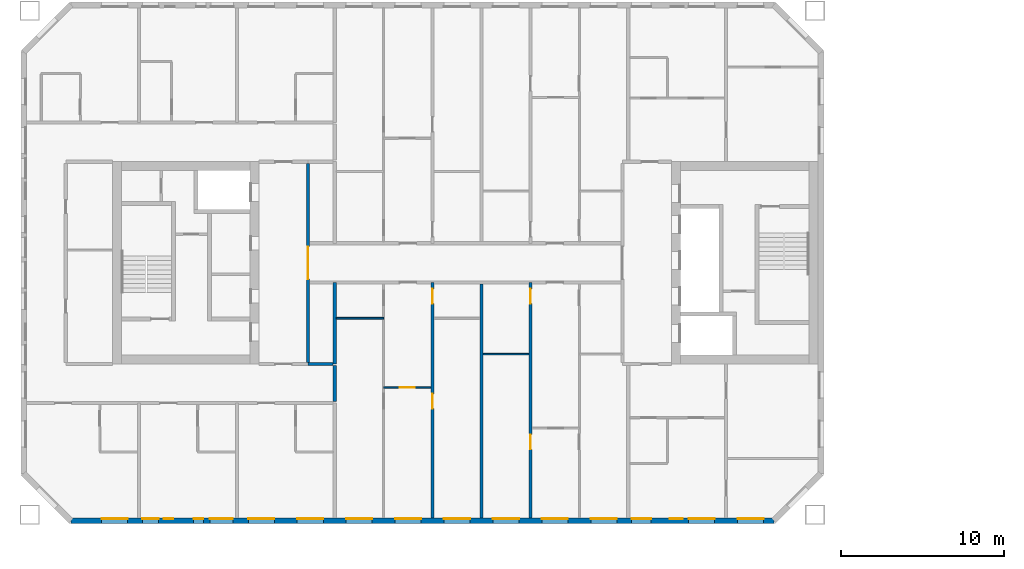
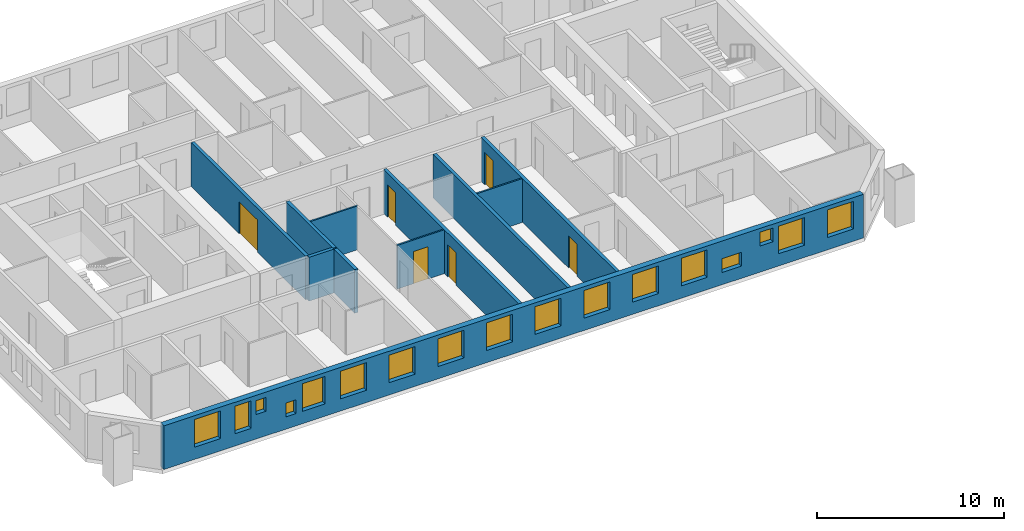
# One storey, part 4 of 17: 17 windows, 11 walls, 6 doors, 23 openings.
"""IFC4 building model written with IfcOpenShell, lengths in metres."""

from ifc_helpers import new_model, si_unit, direction, frame, frame_2d, origin, place, context, subcontext, project, spatial, rectangle, extrude, material, layer, layer_set, type_object, element, fill, save


model = new_model("IFC4")

# Units and contexts
model_context = context("Model", 3, precision=1e-05, world=origin(), true_north=direction((0.0, 1.0)))
body_context = subcontext(model_context, "Body", "Model", "MODEL_VIEW")
ifc_project = project(units=[si_unit("LENGTHUNIT", "METRE"), si_unit("AREAUNIT", "SQUARE_METRE"), si_unit("VOLUMEUNIT", "CUBIC_METRE"), si_unit("PLANEANGLEUNIT", "RADIAN"), si_unit("MASSUNIT", "GRAM", prefix="KILO")], contexts=[model_context])

# Site, building, storey
site_placement = place(None, origin())
site = spatial("IfcSite", under=ifc_project, at=site_placement, CompositionType="ELEMENT")
building_placement = place(site_placement, origin())
building = spatial("IfcBuilding", under=site, at=building_placement, Name="Tuart Gate Housing", CompositionType="ELEMENT")
storey_placement = place(building_placement, frame((0.0, 0.0, 126.800048828125)))
storey = spatial("IfcBuildingStorey", under=building, at=storey_placement, Name="L35", CompositionType="ELEMENT", Elevation=126.800048828125)

# Wall, openings, windows
ifc_material_1 = material(Name="Brick", Category="masonry")
ifc_layer_1 = layer(ifc_material_1, 0.360107421875)
ifc_layer_set_1 = layer_set([ifc_layer_1], Name="Brick pier and spandrel wall 360")
wall_type_1 = type_object("IfcWallType", Name="Brick pier and spandrel wall 360", PredefinedType="STANDARD", material=ifc_layer_set_1)
wall_1_placement = place(storey_placement, frame((29.82470703125, 54.179931640625, 0.0), z_axis=(0.0, 0.0, 1.0), x_axis=(1.0, 0.0, 0.0)))
wall_1 = element("IfcWall", 1, at=wall_1_placement, inside=storey, type_object=wall_type_1, Name="External wall A-S L35", PredefinedType="STANDARD", context=body_context, shape_type="SweptSolid", body=[
    extrude(rectangle(XDim=43.100830078125, YDim=0.360107421875, at=frame_2d((21.55029296875, 0.0))), origin(), (0.0, 0.0, 1.0), 2.849853515625),
])
opening_1_placement = place(wall_1_placement, frame((1.87548828125, 0.0, 0.800048828125)))
opening_1 = element("IfcOpeningElement", 2, at=opening_1_placement, cuts=wall_1, Name="Opening W1", PredefinedType="OPENING", context=body_context, shape_type="SweptSolid", body=[
    extrude(rectangle(XDim=1.60009765625, YDim=1.800048828125, at=frame_2d((0.800048828125, 0.89990234375))), frame((0.0, 0.18994140625, 0.0), z_axis=(0.0, -1.0, 0.0), x_axis=(1.0, 0.0, 0.0)), (0.0, 0.0, 1.0), 0.380126953125),
])
opening_2_placement = place(wall_1_placement, frame((4.37548828125, 0.0, 0.800048828125)))
opening_2 = element("IfcOpeningElement", 3, at=opening_2_placement, cuts=wall_1, Name="Opening W1C", PredefinedType="OPENING", context=body_context, shape_type="SweptSolid", body=[
    extrude(rectangle(XDim=1.0, YDim=1.800048828125, at=frame_2d((0.5, 0.89990234375))), frame((0.0, 0.18994140625, 0.0), z_axis=(0.0, -1.0, 0.0), x_axis=(1.0, 0.0, 0.0)), (0.0, 0.0, 1.0), 0.380126953125),
])
opening_3_placement = place(wall_1_placement, frame((5.67529296875, 0.0, 1.60009765625)))
opening_3 = element("IfcOpeningElement", 4, at=opening_3_placement, cuts=wall_1, Name="Opening W1W", PredefinedType="OPENING", context=body_context, shape_type="SweptSolid", body=[
    extrude(rectangle(XDim=0.60009765625, YDim=0.89990234375, at=frame_2d((0.300048828125, 0.449951171875))), frame((0.0, 0.18994140625, 0.0), z_axis=(0.0, -1.0, 0.0), x_axis=(1.0, 0.0, 0.0)), (0.0, 0.0, 1.0), 0.380126953125),
])
opening_4_placement = place(wall_1_placement, frame((10.87548828125, 0.0, 0.800048828125)))
opening_4 = element("IfcOpeningElement", 5, at=opening_4_placement, cuts=wall_1, Name="Opening W1", PredefinedType="OPENING", context=body_context, shape_type="SweptSolid", body=[
    extrude(rectangle(XDim=1.60009765625, YDim=1.800048828125, at=frame_2d((0.800048828125, 0.89990234375))), frame((0.0, 0.18994140625, 0.0), z_axis=(0.0, -1.0, 0.0), x_axis=(1.0, 0.0, 0.0)), (0.0, 0.0, 1.0), 0.380126953125),
])
opening_5_placement = place(wall_1_placement, frame((13.87548828125, 0.0, 0.800048828125)))
opening_5 = element("IfcOpeningElement", 6, at=opening_5_placement, cuts=wall_1, Name="Opening W1", PredefinedType="OPENING", context=body_context, shape_type="SweptSolid", body=[
    extrude(rectangle(XDim=1.60009765625, YDim=1.800048828125, at=frame_2d((0.800048828125, 0.89990234375))), frame((0.0, 0.18994140625, 0.0), z_axis=(0.0, -1.0, 0.0), x_axis=(1.0, 0.0, 0.0)), (0.0, 0.0, 1.0), 0.380126953125),
])
opening_6_placement = place(wall_1_placement, frame((16.87548828125, 0.0, 0.800048828125)))
opening_6 = element("IfcOpeningElement", 7, at=opening_6_placement, cuts=wall_1, Name="Opening W1", PredefinedType="OPENING", context=body_context, shape_type="SweptSolid", body=[
    extrude(rectangle(XDim=1.60009765625, YDim=1.800048828125, at=frame_2d((0.800048828125, 0.89990234375))), frame((0.0, 0.18994140625, 0.0), z_axis=(0.0, -1.0, 0.0), x_axis=(1.0, 0.0, 0.0)), (0.0, 0.0, 1.0), 0.380126953125),
])
opening_7_placement = place(wall_1_placement, frame((19.87548828125, 0.0, 0.800048828125)))
opening_7 = element("IfcOpeningElement", 8, at=opening_7_placement, cuts=wall_1, Name="Opening W1", PredefinedType="OPENING", context=body_context, shape_type="SweptSolid", body=[
    extrude(rectangle(XDim=1.60009765625, YDim=1.800048828125, at=frame_2d((0.800048828125, 0.89990234375))), frame((0.0, 0.18994140625, 0.0), z_axis=(0.0, -1.0, 0.0), x_axis=(1.0, 0.0, 0.0)), (0.0, 0.0, 1.0), 0.380126953125),
])
opening_8_placement = place(wall_1_placement, frame((22.87548828125, 0.0, 0.800048828125)))
opening_8 = element("IfcOpeningElement", 9, at=opening_8_placement, cuts=wall_1, Name="Opening W1", PredefinedType="OPENING", context=body_context, shape_type="SweptSolid", body=[
    extrude(rectangle(XDim=1.60009765625, YDim=1.800048828125, at=frame_2d((0.800048828125, 0.89990234375))), frame((0.0, 0.18994140625, 0.0), z_axis=(0.0, -1.0, 0.0), x_axis=(1.0, 0.0, 0.0)), (0.0, 0.0, 1.0), 0.380126953125),
])
opening_9_placement = place(wall_1_placement, frame((25.87548828125, 0.0, 0.800048828125)))
opening_9 = element("IfcOpeningElement", 10, at=opening_9_placement, cuts=wall_1, Name="Opening W1", PredefinedType="OPENING", context=body_context, shape_type="SweptSolid", body=[
    extrude(rectangle(XDim=1.60009765625, YDim=1.800048828125, at=frame_2d((0.800048828125, 0.89990234375))), frame((0.0, 0.18994140625, 0.0), z_axis=(0.0, -1.0, 0.0), x_axis=(1.0, 0.0, 0.0)), (0.0, 0.0, 1.0), 0.380126953125),
])
opening_10_placement = place(wall_1_placement, frame((28.87548828125, 0.0, 0.800048828125)))
opening_10 = element("IfcOpeningElement", 11, at=opening_10_placement, cuts=wall_1, Name="Opening W1", PredefinedType="OPENING", context=body_context, shape_type="SweptSolid", body=[
    extrude(rectangle(XDim=1.60009765625, YDim=1.800048828125, at=frame_2d((0.800048828125, 0.89990234375))), frame((0.0, 0.18994140625, 0.0), z_axis=(0.0, -1.0, 0.0), x_axis=(1.0, 0.0, 0.0)), (0.0, 0.0, 1.0), 0.380126953125),
])
opening_11_placement = place(wall_1_placement, frame((31.87548828125, 0.0, 0.800048828125)))
opening_11 = element("IfcOpeningElement", 12, at=opening_11_placement, cuts=wall_1, Name="Opening W1", PredefinedType="OPENING", context=body_context, shape_type="SweptSolid", body=[
    extrude(rectangle(XDim=1.60009765625, YDim=1.800048828125, at=frame_2d((0.800048828125, 0.89990234375))), frame((0.0, 0.18994140625, 0.0), z_axis=(0.0, -1.0, 0.0), x_axis=(1.0, 0.0, 0.0)), (0.0, 0.0, 1.0), 0.380126953125),
])
opening_12_placement = place(wall_1_placement, frame((34.37548828125, 0.0, 0.800048828125)))
opening_12 = element("IfcOpeningElement", 13, at=opening_12_placement, cuts=wall_1, Name="Opening W1T", PredefinedType="OPENING", context=body_context, shape_type="SweptSolid", body=[
    extrude(rectangle(XDim=1.199951171875, YDim=0.89990234375, at=frame_2d((0.60009765625, 0.449951171875))), frame((0.0, 0.18994140625, 0.0), z_axis=(0.0, -1.0, 0.0), x_axis=(1.0, 0.0, 0.0)), (0.0, 0.0, 1.0), 0.380126953125),
])
opening_13_placement = place(wall_1_placement, frame((37.87548828125, 0.0, 0.800048828125)))
opening_13 = element("IfcOpeningElement", 14, at=opening_13_placement, cuts=wall_1, Name="Opening W1", PredefinedType="OPENING", context=body_context, shape_type="SweptSolid", body=[
    extrude(rectangle(XDim=1.60009765625, YDim=1.800048828125, at=frame_2d((0.800048828125, 0.89990234375))), frame((0.0, 0.18994140625, 0.0), z_axis=(0.0, -1.0, 0.0), x_axis=(1.0, 0.0, 0.0)), (0.0, 0.0, 1.0), 0.380126953125),
])
opening_14_placement = place(wall_1_placement, frame((40.87548828125, 0.0, 0.800048828125)))
opening_14 = element("IfcOpeningElement", 15, at=opening_14_placement, cuts=wall_1, Name="Opening W1", PredefinedType="OPENING", context=body_context, shape_type="SweptSolid", body=[
    extrude(rectangle(XDim=1.60009765625, YDim=1.800048828125, at=frame_2d((0.800048828125, 0.89990234375))), frame((0.0, 0.18994140625, 0.0), z_axis=(0.0, -1.0, 0.0), x_axis=(1.0, 0.0, 0.0)), (0.0, 0.0, 1.0), 0.380126953125),
])
opening_15_placement = place(wall_1_placement, frame((7.525390625, 0.0, 0.800048828125)))
opening_15 = element("IfcOpeningElement", 16, at=opening_15_placement, cuts=wall_1, Name="Opening W1W", PredefinedType="OPENING", context=body_context, shape_type="SweptSolid", body=[
    extrude(rectangle(XDim=0.60009765625, YDim=0.89990234375, at=frame_2d((0.300048828125, 0.449951171875))), frame((0.0, 0.18994140625, 0.0), z_axis=(0.0, -1.0, 0.0), x_axis=(1.0, 0.0, 0.0)), (0.0, 0.0, 1.0), 0.380126953125),
])
opening_16_placement = place(wall_1_placement, frame((8.525390625, 0.0, 0.800048828125)))
opening_16 = element("IfcOpeningElement", 17, at=opening_16_placement, cuts=wall_1, Name="Opening W1A", PredefinedType="OPENING", context=body_context, shape_type="SweptSolid", body=[
    extrude(rectangle(XDim=1.39990234375, YDim=1.800048828125, at=frame_2d((0.699951171875, 0.89990234375))), frame((0.0, 0.18994140625, 0.0), z_axis=(0.0, -1.0, 0.0), x_axis=(1.0, 0.0, 0.0)), (0.0, 0.0, 1.0), 0.380126953125),
])
opening_17_placement = place(wall_1_placement, frame((36.725341796875, 0.0, 1.699951171875)))
opening_17 = element("IfcOpeningElement", 18, at=opening_17_placement, cuts=wall_1, Name="Opening W1V", PredefinedType="OPENING", context=body_context, shape_type="SweptSolid", body=[
    extrude(rectangle(XDim=0.800048828125, YDim=0.89990234375, at=frame_2d((0.39990234375, 0.449951171875))), frame((0.0, 0.18994140625, 0.0), z_axis=(0.0, -1.0, 0.0), x_axis=(1.0, 0.0, 0.0)), (0.0, 0.0, 1.0), 0.380126953125),
])
ifc_material_2 = material(Name="Aluminium frame with clear glass", Category="aluminium")
window_type_1 = type_object("IfcWindowType", Name="Punched window 1000 x 1800", PartitioningType="SINGLE_PANEL", PredefinedType="WINDOW", material=ifc_material_2)
window_1_placement = place(opening_2_placement, origin())
window_1 = element("IfcWindow", 19, at=window_1_placement, inside=storey, type_object=window_type_1, Name="Window W1C", OverallHeight=1.800048828125, OverallWidth=1.0, PartitioningType="SINGLE_PANEL", PredefinedType="WINDOW", context=body_context, shape_type="SweptSolid", body=[
    extrude(rectangle(XDim=1.0, YDim=1.800048828125, at=frame_2d((0.5, 0.89990234375))), frame((0.0, 0.150146484375, 0.0), z_axis=(0.0, -1.0, 0.0), x_axis=(1.0, 0.0, 0.0)), (0.0, 0.0, 1.0), 0.06005859375),
])
fill(opening_2, window_1)
ifc_material_3 = material(Name="Aluminium frame with clear glass", Category="aluminium")
window_type_2 = type_object("IfcWindowType", Name="Punched window 1200 x 900", PartitioningType="SINGLE_PANEL", PredefinedType="WINDOW", material=ifc_material_3)
window_2_placement = place(opening_12_placement, origin())
window_2 = element("IfcWindow", 20, at=window_2_placement, inside=storey, type_object=window_type_2, Name="Window W1T", OverallHeight=0.89990234375, OverallWidth=1.199951171875, PartitioningType="SINGLE_PANEL", PredefinedType="WINDOW", context=body_context, shape_type="SweptSolid", body=[
    extrude(rectangle(XDim=1.199951171875, YDim=0.89990234375, at=frame_2d((0.60009765625, 0.449951171875))), frame((0.0, 0.150146484375, 0.0), z_axis=(0.0, -1.0, 0.0), x_axis=(1.0, 0.0, 0.0)), (0.0, 0.0, 1.0), 0.06005859375),
])
fill(opening_12, window_2)
ifc_material_4 = material(Name="Aluminium frame with clear glass", Category="aluminium")
window_type_3 = type_object("IfcWindowType", Name="Punched window 1400 x 1800", PartitioningType="SINGLE_PANEL", PredefinedType="WINDOW", material=ifc_material_4)
window_3_placement = place(opening_16_placement, origin())
window_3 = element("IfcWindow", 21, at=window_3_placement, inside=storey, type_object=window_type_3, Name="Window W1A", OverallHeight=1.800048828125, OverallWidth=1.39990234375, PartitioningType="SINGLE_PANEL", PredefinedType="WINDOW", context=body_context, shape_type="SweptSolid", body=[
    extrude(rectangle(XDim=1.39990234375, YDim=1.800048828125, at=frame_2d((0.699951171875, 0.89990234375))), frame((0.0, 0.150146484375, 0.0), z_axis=(0.0, -1.0, 0.0), x_axis=(1.0, 0.0, 0.0)), (0.0, 0.0, 1.0), 0.06005859375),
])
fill(opening_16, window_3)
ifc_material_5 = material(Name="Aluminium frame with clear glass", Category="aluminium")
window_type_4 = type_object("IfcWindowType", Name="Punched window 1600 x 1800", PartitioningType="SINGLE_PANEL", PredefinedType="WINDOW", material=ifc_material_5)
window_4_placement = place(opening_1_placement, origin())
window_4 = element("IfcWindow", 22, at=window_4_placement, inside=storey, type_object=window_type_4, Name="Window W1", OverallHeight=1.800048828125, OverallWidth=1.60009765625, PartitioningType="SINGLE_PANEL", PredefinedType="WINDOW", context=body_context, shape_type="SweptSolid", body=[
    extrude(rectangle(XDim=1.60009765625, YDim=1.800048828125, at=frame_2d((0.800048828125, 0.89990234375))), frame((0.0, 0.150146484375, 0.0), z_axis=(0.0, -1.0, 0.0), x_axis=(1.0, 0.0, 0.0)), (0.0, 0.0, 1.0), 0.06005859375),
])
fill(opening_1, window_4)
window_5_placement = place(opening_4_placement, origin())
window_5 = element("IfcWindow", 23, at=window_5_placement, inside=storey, type_object=window_type_4, Name="Window W1", OverallHeight=1.800048828125, OverallWidth=1.60009765625, PartitioningType="SINGLE_PANEL", PredefinedType="WINDOW", context=body_context, shape_type="SweptSolid", body=[
    extrude(rectangle(XDim=1.60009765625, YDim=1.800048828125, at=frame_2d((0.800048828125, 0.89990234375))), frame((0.0, 0.150146484375, 0.0), z_axis=(0.0, -1.0, 0.0), x_axis=(1.0, 0.0, 0.0)), (0.0, 0.0, 1.0), 0.06005859375),
])
fill(opening_4, window_5)
window_6_placement = place(opening_5_placement, origin())
window_6 = element("IfcWindow", 24, at=window_6_placement, inside=storey, type_object=window_type_4, Name="Window W1", OverallHeight=1.800048828125, OverallWidth=1.60009765625, PartitioningType="SINGLE_PANEL", PredefinedType="WINDOW", context=body_context, shape_type="SweptSolid", body=[
    extrude(rectangle(XDim=1.60009765625, YDim=1.800048828125, at=frame_2d((0.800048828125, 0.89990234375))), frame((0.0, 0.150146484375, 0.0), z_axis=(0.0, -1.0, 0.0), x_axis=(1.0, 0.0, 0.0)), (0.0, 0.0, 1.0), 0.06005859375),
])
fill(opening_5, window_6)
window_7_placement = place(opening_6_placement, origin())
window_7 = element("IfcWindow", 25, at=window_7_placement, inside=storey, type_object=window_type_4, Name="Window W1", OverallHeight=1.800048828125, OverallWidth=1.60009765625, PartitioningType="SINGLE_PANEL", PredefinedType="WINDOW", context=body_context, shape_type="SweptSolid", body=[
    extrude(rectangle(XDim=1.60009765625, YDim=1.800048828125, at=frame_2d((0.800048828125, 0.89990234375))), frame((0.0, 0.150146484375, 0.0), z_axis=(0.0, -1.0, 0.0), x_axis=(1.0, 0.0, 0.0)), (0.0, 0.0, 1.0), 0.06005859375),
])
fill(opening_6, window_7)
window_8_placement = place(opening_7_placement, origin())
window_8 = element("IfcWindow", 26, at=window_8_placement, inside=storey, type_object=window_type_4, Name="Window W1", OverallHeight=1.800048828125, OverallWidth=1.60009765625, PartitioningType="SINGLE_PANEL", PredefinedType="WINDOW", context=body_context, shape_type="SweptSolid", body=[
    extrude(rectangle(XDim=1.60009765625, YDim=1.800048828125, at=frame_2d((0.800048828125, 0.89990234375))), frame((0.0, 0.150146484375, 0.0), z_axis=(0.0, -1.0, 0.0), x_axis=(1.0, 0.0, 0.0)), (0.0, 0.0, 1.0), 0.06005859375),
])
fill(opening_7, window_8)
window_9_placement = place(opening_8_placement, origin())
window_9 = element("IfcWindow", 27, at=window_9_placement, inside=storey, type_object=window_type_4, Name="Window W1", OverallHeight=1.800048828125, OverallWidth=1.60009765625, PartitioningType="SINGLE_PANEL", PredefinedType="WINDOW", context=body_context, shape_type="SweptSolid", body=[
    extrude(rectangle(XDim=1.60009765625, YDim=1.800048828125, at=frame_2d((0.800048828125, 0.89990234375))), frame((0.0, 0.150146484375, 0.0), z_axis=(0.0, -1.0, 0.0), x_axis=(1.0, 0.0, 0.0)), (0.0, 0.0, 1.0), 0.06005859375),
])
fill(opening_8, window_9)
window_10_placement = place(opening_9_placement, origin())
window_10 = element("IfcWindow", 28, at=window_10_placement, inside=storey, type_object=window_type_4, Name="Window W1", OverallHeight=1.800048828125, OverallWidth=1.60009765625, PartitioningType="SINGLE_PANEL", PredefinedType="WINDOW", context=body_context, shape_type="SweptSolid", body=[
    extrude(rectangle(XDim=1.60009765625, YDim=1.800048828125, at=frame_2d((0.800048828125, 0.89990234375))), frame((0.0, 0.150146484375, 0.0), z_axis=(0.0, -1.0, 0.0), x_axis=(1.0, 0.0, 0.0)), (0.0, 0.0, 1.0), 0.06005859375),
])
fill(opening_9, window_10)
window_11_placement = place(opening_10_placement, origin())
window_11 = element("IfcWindow", 29, at=window_11_placement, inside=storey, type_object=window_type_4, Name="Window W1", OverallHeight=1.800048828125, OverallWidth=1.60009765625, PartitioningType="SINGLE_PANEL", PredefinedType="WINDOW", context=body_context, shape_type="SweptSolid", body=[
    extrude(rectangle(XDim=1.60009765625, YDim=1.800048828125, at=frame_2d((0.800048828125, 0.89990234375))), frame((0.0, 0.150146484375, 0.0), z_axis=(0.0, -1.0, 0.0), x_axis=(1.0, 0.0, 0.0)), (0.0, 0.0, 1.0), 0.06005859375),
])
fill(opening_10, window_11)
window_12_placement = place(opening_11_placement, origin())
window_12 = element("IfcWindow", 30, at=window_12_placement, inside=storey, type_object=window_type_4, Name="Window W1", OverallHeight=1.800048828125, OverallWidth=1.60009765625, PartitioningType="SINGLE_PANEL", PredefinedType="WINDOW", context=body_context, shape_type="SweptSolid", body=[
    extrude(rectangle(XDim=1.60009765625, YDim=1.800048828125, at=frame_2d((0.800048828125, 0.89990234375))), frame((0.0, 0.150146484375, 0.0), z_axis=(0.0, -1.0, 0.0), x_axis=(1.0, 0.0, 0.0)), (0.0, 0.0, 1.0), 0.06005859375),
])
fill(opening_11, window_12)
window_13_placement = place(opening_13_placement, origin())
window_13 = element("IfcWindow", 31, at=window_13_placement, inside=storey, type_object=window_type_4, Name="Window W1", OverallHeight=1.800048828125, OverallWidth=1.60009765625, PartitioningType="SINGLE_PANEL", PredefinedType="WINDOW", context=body_context, shape_type="SweptSolid", body=[
    extrude(rectangle(XDim=1.60009765625, YDim=1.800048828125, at=frame_2d((0.800048828125, 0.89990234375))), frame((0.0, 0.150146484375, 0.0), z_axis=(0.0, -1.0, 0.0), x_axis=(1.0, 0.0, 0.0)), (0.0, 0.0, 1.0), 0.06005859375),
])
fill(opening_13, window_13)
window_14_placement = place(opening_14_placement, origin())
window_14 = element("IfcWindow", 32, at=window_14_placement, inside=storey, type_object=window_type_4, Name="Window W1", OverallHeight=1.800048828125, OverallWidth=1.60009765625, PartitioningType="SINGLE_PANEL", PredefinedType="WINDOW", context=body_context, shape_type="SweptSolid", body=[
    extrude(rectangle(XDim=1.60009765625, YDim=1.800048828125, at=frame_2d((0.800048828125, 0.89990234375))), frame((0.0, 0.150146484375, 0.0), z_axis=(0.0, -1.0, 0.0), x_axis=(1.0, 0.0, 0.0)), (0.0, 0.0, 1.0), 0.06005859375),
])
fill(opening_14, window_14)
ifc_material_6 = material(Name="Aluminium frame with clear glass", Category="aluminium")
window_type_5 = type_object("IfcWindowType", Name="Punched window 600 x 900", PartitioningType="SINGLE_PANEL", PredefinedType="WINDOW", material=ifc_material_6)
window_15_placement = place(opening_3_placement, origin())
window_15 = element("IfcWindow", 33, at=window_15_placement, inside=storey, type_object=window_type_5, Name="Window W1W", OverallHeight=0.89990234375, OverallWidth=0.60009765625, PartitioningType="SINGLE_PANEL", PredefinedType="WINDOW", context=body_context, shape_type="SweptSolid", body=[
    extrude(rectangle(XDim=0.60009765625, YDim=0.89990234375, at=frame_2d((0.300048828125, 0.449951171875))), frame((0.0, 0.150146484375, 0.0), z_axis=(0.0, -1.0, 0.0), x_axis=(1.0, 0.0, 0.0)), (0.0, 0.0, 1.0), 0.06005859375),
])
fill(opening_3, window_15)
window_16_placement = place(opening_15_placement, origin())
window_16 = element("IfcWindow", 34, at=window_16_placement, inside=storey, type_object=window_type_5, Name="Window W1W", OverallHeight=0.89990234375, OverallWidth=0.60009765625, PartitioningType="SINGLE_PANEL", PredefinedType="WINDOW", context=body_context, shape_type="SweptSolid", body=[
    extrude(rectangle(XDim=0.60009765625, YDim=0.89990234375, at=frame_2d((0.300048828125, 0.449951171875))), frame((0.0, 0.150146484375, 0.0), z_axis=(0.0, -1.0, 0.0), x_axis=(1.0, 0.0, 0.0)), (0.0, 0.0, 1.0), 0.06005859375),
])
fill(opening_15, window_16)
ifc_material_7 = material(Name="Aluminium frame with clear glass", Category="aluminium")
window_type_6 = type_object("IfcWindowType", Name="Punched window 800 x 900", PartitioningType="SINGLE_PANEL", PredefinedType="WINDOW", material=ifc_material_7)
window_17_placement = place(opening_17_placement, origin())
window_17 = element("IfcWindow", 35, at=window_17_placement, inside=storey, type_object=window_type_6, Name="Window W1V", OverallHeight=0.89990234375, OverallWidth=0.800048828125, PartitioningType="SINGLE_PANEL", PredefinedType="WINDOW", context=body_context, shape_type="SweptSolid", body=[
    extrude(rectangle(XDim=0.800048828125, YDim=0.89990234375, at=frame_2d((0.39990234375, 0.449951171875))), frame((0.0, 0.150146484375, 0.0), z_axis=(0.0, -1.0, 0.0), x_axis=(1.0, 0.0, 0.0)), (0.0, 0.0, 1.0), 0.06005859375),
])
fill(opening_17, window_17)

# Walls
ifc_material_8 = material(Name="Concrete masonry 15 MPa", Category="masonry")
ifc_layer_2 = layer(ifc_material_8, 0.199951171875)
ifc_layer_set_2 = layer_set([ifc_layer_2], Name="Corridor wall masonry 200")
wall_type_2 = type_object("IfcWallType", Name="Corridor wall masonry 200", PredefinedType="PARTITIONING", material=ifc_layer_set_2)
wall_2_placement = place(storey_placement, frame((44.360107421875, 63.800048828125, 0.0), z_axis=(0.0, 0.0, 1.0), x_axis=(1.0, 0.0, 0.0)))
element("IfcWall", 36, at=wall_2_placement, inside=storey, type_object=wall_type_2, Name="Corridor wall masonry 200", PredefinedType="PARTITIONING", context=body_context, shape_type="SweptSolid", body=[
    extrude(rectangle(XDim=1.539794921875, YDim=0.199951171875, at=frame_2d((0.77001953125, 0.0))), origin(), (0.0, 0.0, 1.0), 2.849853515625),
])
wall_3_placement = place(storey_placement, frame((46.0, 61.5, 0.0), z_axis=(0.0, 0.0, 1.0), x_axis=(0.0, 1.0, 0.0)))
element("IfcWall", 37, at=wall_3_placement, inside=storey, type_object=wall_type_2, Name="Corridor wall masonry 200", PredefinedType="PARTITIONING", context=body_context, shape_type="SweptSolid", body=[
    extrude(rectangle(XDim=2.199951171875, YDim=0.199951171875, at=frame_2d((1.10009765625, 0.0))), origin(), (0.0, 0.0, 1.0), 2.849853515625),
])

# Wall, opening, door
ifc_material_9 = material(Name="Plasterboard partition")
ifc_layer_3 = layer(ifc_material_9, 0.199951171875)
ifc_layer_set_3 = layer_set([ifc_layer_3], Name="Lobby wall 200")
wall_type_3 = type_object("IfcWallType", Name="Lobby wall 200", PredefinedType="PARTITIONING", material=ifc_layer_set_3)
wall_4_placement = place(storey_placement, frame((44.360107421875, 63.89990234375, 0.0), z_axis=(0.0, 0.0, 1.0), x_axis=(0.0, 1.0, 0.0)))
wall_4 = element("IfcWall", 38, at=wall_4_placement, inside=storey, type_object=wall_type_3, Name="Lift lobby wall AK", PredefinedType="PARTITIONING", context=body_context, shape_type="SweptSolid", body=[
    extrude(rectangle(XDim=12.2001953125, YDim=0.199951171875, at=frame_2d((6.10009765625, 0.0))), origin(), (0.0, 0.0, 1.0), 2.849853515625),
])
opening_18_placement = place(wall_4_placement, frame((5.10009765625, 0.0, 0.0)))
opening_18 = element("IfcOpeningElement", 39, at=opening_18_placement, cuts=wall_4, Name="Opening D1322", PredefinedType="OPENING", context=body_context, shape_type="SweptSolid", body=[
    extrude(rectangle(XDim=2.0, YDim=2.10009765625, at=frame_2d((1.0, 1.050048828125))), frame((0.0, 0.10986328125, 0.0), z_axis=(0.0, -1.0, 0.0), x_axis=(1.0, 0.0, 0.0)), (0.0, 0.0, 1.0), 0.219970703125),
])
ifc_material_10 = material(Name="Steel fire door", Category="steel")
door_type_1 = type_object("IfcDoorType", Name="Smoke door 2000 x 2100", OperationType="DOUBLE_DOOR_SINGLE_SWING", PredefinedType="DOOR", material=ifc_material_10)
door_1_placement = place(opening_18_placement, origin())
door_1 = element("IfcDoor", 40, at=door_1_placement, inside=storey, type_object=door_type_1, Name="Lift lobby smoke door AK", OperationType="DOUBLE_DOOR_SINGLE_SWING", OverallHeight=2.10009765625, OverallWidth=2.0, PredefinedType="DOOR", context=body_context, shape_type="SweptSolid", body=[
    extrude(rectangle(XDim=2.0, YDim=2.10009765625, at=frame_2d((1.0, 1.050048828125))), frame((0.0, 0.02490234375, 0.0), z_axis=(0.0, -1.0, 0.0), x_axis=(1.0, 0.0, 0.0)), (0.0, 0.0, 1.0), 0.050048828125),
])
fill(opening_18, door_1)

ifc_material_11 = material(Name="Gypsum board on steel studs", Category="steel")
ifc_layer_4 = layer(ifc_material_11, 0.10009765625)
ifc_layer_set_4 = layer_set([ifc_layer_4], Name="Partition 100")
wall_type_4 = type_object("IfcWallType", Name="Partition 100", PredefinedType="PARTITIONING", material=ifc_layer_set_4)
wall_5_placement = place(storey_placement, frame((49.0, 62.360107421875, 0.0), z_axis=(0.0, 0.0, 1.0), x_axis=(1.0, 0.0, 0.0)))
wall_5 = element("IfcWall", 41, at=wall_5_placement, inside=storey, type_object=wall_type_4, Name="Partition 100", PredefinedType="PARTITIONING", context=body_context, shape_type="SweptSolid", body=[
    extrude(rectangle(XDim=2.89990234375, YDim=0.10009765625, at=frame_2d((1.449951171875, 0.0))), origin(), (0.0, 0.0, 1.0), 2.849853515625),
])
opening_19_placement = place(wall_5_placement, frame((1.0, 0.0, 0.0)))
opening_19 = element("IfcOpeningElement", 42, at=opening_19_placement, cuts=wall_5, Name="Opening D1331", PredefinedType="OPENING", context=body_context, shape_type="SweptSolid", body=[
    extrude(rectangle(XDim=0.89990234375, YDim=2.10009765625, at=frame_2d((0.449951171875, 1.050048828125))), frame((0.0, 0.06005859375, 0.0), z_axis=(0.0, -1.0, 0.0), x_axis=(1.0, 0.0, 0.0)), (0.0, 0.0, 1.0), 0.1201171875),
])
ifc_material_12 = material(Name="Timber door leaf in steel frame", Category="steel")
door_type_2 = type_object("IfcDoorType", Name="Internal door 900", OperationType="SINGLE_SWING_LEFT", PredefinedType="DOOR", material=ifc_material_12)
door_2_placement = place(opening_19_placement, origin())
door_2 = element("IfcDoor", 43, at=door_2_placement, inside=storey, type_object=door_type_2, Name="Internal door", OperationType="SINGLE_SWING_LEFT", OverallHeight=2.10009765625, OverallWidth=0.89990234375, PredefinedType="DOOR", context=body_context, shape_type="SweptSolid", body=[
    extrude(rectangle(XDim=0.89990234375, YDim=2.10009765625, at=frame_2d((0.449951171875, 1.050048828125))), frame((0.0, 0.02490234375, 0.0), z_axis=(0.0, -1.0, 0.0), x_axis=(1.0, 0.0, 0.0)), (0.0, 0.0, 1.0), 0.050048828125),
])
fill(opening_19, door_2)

# Walls
wall_6_placement = place(storey_placement, frame((55.10009765625, 64.39990234375, 0.0), z_axis=(0.0, 0.0, 1.0), x_axis=(1.0, 0.0, 0.0)))
element("IfcWall", 44, at=wall_6_placement, inside=storey, type_object=wall_type_4, Name="Partition 100", PredefinedType="PARTITIONING", context=body_context, shape_type="SweptSolid", body=[
    extrude(rectangle(XDim=2.7998046875, YDim=0.10009765625, at=frame_2d((1.39990234375, 0.0))), origin(), (0.0, 0.0, 1.0), 2.849853515625),
])
wall_7_placement = place(storey_placement, frame((46.10009765625, 66.60009765625, 0.0), z_axis=(0.0, 0.0, 1.0), x_axis=(1.0, 0.0, 0.0)))
element("IfcWall", 45, at=wall_7_placement, inside=storey, type_object=wall_type_4, Name="Partition 100", PredefinedType="PARTITIONING", context=body_context, shape_type="SweptSolid", body=[
    extrude(rectangle(XDim=2.89990234375, YDim=0.10009765625, at=frame_2d((1.449951171875, 0.0))), origin(), (0.0, 0.0, 1.0), 2.849853515625),
])
ifc_material_13 = material(Name="Concrete C40", Category="concrete")
ifc_layer_5 = layer(ifc_material_13, 0.199951171875)
ifc_layer_set_5 = layer_set([ifc_layer_5], Name="Party wall concrete C40 200")
wall_type_5 = type_object("IfcWallType", Name="Party wall concrete C40 200", PredefinedType="SOLIDWALL", material=ifc_layer_set_5)
wall_8_placement = place(storey_placement, frame((46.0, 63.800048828125, 0.0), z_axis=(0.0, 0.0, 1.0), x_axis=(0.0, 1.0, 0.0)))
element("IfcWall", 46, at=wall_8_placement, inside=storey, type_object=wall_type_5, Name="Party wall concrete C40 200", PredefinedType="SOLIDWALL", context=body_context, shape_type="SweptSolid", body=[
    extrude(rectangle(XDim=5.0, YDim=0.199951171875, at=frame_2d((2.5, 0.0))), origin(), (0.0, 0.0, 1.0), 2.849853515625),
])

# Wall, openings, doors
wall_9_placement = place(storey_placement, frame((52.0, 54.360107421875, 0.0), z_axis=(0.0, 0.0, 1.0), x_axis=(0.0, 1.0, 0.0)))
wall_9 = element("IfcWall", 47, at=wall_9_placement, inside=storey, type_object=wall_type_5, Name="Party wall concrete C40 200", PredefinedType="SOLIDWALL", context=body_context, shape_type="SweptSolid", body=[
    extrude(rectangle(XDim=14.43994140625, YDim=0.199951171875, at=frame_2d((7.219970703125, 0.0))), origin(), (0.0, 0.0, 1.0), 2.849853515625),
])
opening_20_placement = place(wall_9_placement, frame((6.699951171875, 0.0, 0.0)))
opening_20 = element("IfcOpeningElement", 48, at=opening_20_placement, cuts=wall_9, Name="Opening D1333", PredefinedType="OPENING", context=body_context, shape_type="SweptSolid", body=[
    extrude(rectangle(XDim=0.89990234375, YDim=2.10009765625, at=frame_2d((0.449951171875, 1.050048828125))), frame((0.0, 0.10986328125, 0.0), z_axis=(0.0, -1.0, 0.0), x_axis=(1.0, 0.0, 0.0)), (0.0, 0.0, 1.0), 0.219970703125),
])
opening_21_placement = place(wall_9_placement, frame((13.139892578125, 0.0, 0.0)))
opening_21 = element("IfcOpeningElement", 49, at=opening_21_placement, cuts=wall_9, Name="Opening D1332", PredefinedType="OPENING", context=body_context, shape_type="SweptSolid", body=[
    extrude(rectangle(XDim=0.89990234375, YDim=2.10009765625, at=frame_2d((0.449951171875, 1.050048828125))), frame((0.0, 0.10986328125, 0.0), z_axis=(0.0, -1.0, 0.0), x_axis=(1.0, 0.0, 0.0)), (0.0, 0.0, 1.0), 0.219970703125),
])
ifc_material_14 = material(Name="Timber door leaf in steel frame", Category="steel")
door_type_3 = type_object("IfcDoorType", Name="Bathroom door 900", OperationType="SINGLE_SWING_LEFT", PredefinedType="DOOR", material=ifc_material_14)
door_3_placement = place(opening_21_placement, frame((0.89990234375, 0.0, 0.0), z_axis=(0.0, 0.0, 1.0), x_axis=(-1.0, 0.0, 0.0)))
door_3 = element("IfcDoor", 50, at=door_3_placement, inside=storey, type_object=door_type_3, Name="Bathroom door", OperationType="SINGLE_SWING_LEFT", OverallHeight=2.10009765625, OverallWidth=0.89990234375, PredefinedType="DOOR", context=body_context, shape_type="SweptSolid", body=[
    extrude(rectangle(XDim=0.89990234375, YDim=2.10009765625, at=frame_2d((0.449951171875, 1.050048828125))), frame((0.0, 0.025146484375, 0.0), z_axis=(0.0, -1.0, 0.0), x_axis=(1.0, 0.0, 0.0)), (0.0, 0.0, 1.0), 0.050048828125),
])
fill(opening_21, door_3)
door_4_placement = place(opening_20_placement, frame((0.89990234375, 0.0, 0.0), z_axis=(0.0, 0.0, 1.0), x_axis=(-1.0, 0.0, 0.0)))
door_4 = element("IfcDoor", 51, at=door_4_placement, inside=storey, type_object=door_type_2, Name="Internal door", OperationType="SINGLE_SWING_LEFT", OverallHeight=2.10009765625, OverallWidth=0.89990234375, PredefinedType="DOOR", context=body_context, shape_type="SweptSolid", body=[
    extrude(rectangle(XDim=0.89990234375, YDim=2.10009765625, at=frame_2d((0.449951171875, 1.050048828125))), frame((0.0, 0.025146484375, 0.0), z_axis=(0.0, -1.0, 0.0), x_axis=(1.0, 0.0, 0.0)), (0.0, 0.0, 1.0), 0.050048828125),
])
fill(opening_20, door_4)

wall_10_placement = place(storey_placement, frame((58.0, 54.360107421875, 0.0), z_axis=(0.0, 0.0, 1.0), x_axis=(0.0, 1.0, 0.0)))
wall_10 = element("IfcWall", 52, at=wall_10_placement, inside=storey, type_object=wall_type_5, Name="Party wall concrete C40 200", PredefinedType="SOLIDWALL", context=body_context, shape_type="SweptSolid", body=[
    extrude(rectangle(XDim=14.43994140625, YDim=0.199951171875, at=frame_2d((7.219970703125, 0.0))), origin(), (0.0, 0.0, 1.0), 2.849853515625),
])
opening_22_placement = place(wall_10_placement, frame((4.199951171875, 0.0, 0.0)))
opening_22 = element("IfcOpeningElement", 53, at=opening_22_placement, cuts=wall_10, Name="Opening D1335", PredefinedType="OPENING", context=body_context, shape_type="SweptSolid", body=[
    extrude(rectangle(XDim=0.89990234375, YDim=2.10009765625, at=frame_2d((0.449951171875, 1.050048828125))), frame((0.0, 0.10986328125, 0.0), z_axis=(0.0, -1.0, 0.0), x_axis=(1.0, 0.0, 0.0)), (0.0, 0.0, 1.0), 0.219970703125),
])
opening_23_placement = place(wall_10_placement, frame((13.139892578125, 0.0, 0.0)))
opening_23 = element("IfcOpeningElement", 54, at=opening_23_placement, cuts=wall_10, Name="Opening D1334", PredefinedType="OPENING", context=body_context, shape_type="SweptSolid", body=[
    extrude(rectangle(XDim=0.89990234375, YDim=2.10009765625, at=frame_2d((0.449951171875, 1.050048828125))), frame((0.0, 0.10986328125, 0.0), z_axis=(0.0, -1.0, 0.0), x_axis=(1.0, 0.0, 0.0)), (0.0, 0.0, 1.0), 0.219970703125),
])
ifc_material_15 = material(Name="Timber door leaf in steel frame", Category="steel")
door_type_4 = type_object("IfcDoorType", Name="Bathroom door 900 RH", OperationType="SINGLE_SWING_RIGHT", PredefinedType="DOOR", material=ifc_material_15)
door_5_placement = place(opening_23_placement, origin())
door_5 = element("IfcDoor", 55, at=door_5_placement, inside=storey, type_object=door_type_4, Name="Bathroom door", OperationType="SINGLE_SWING_RIGHT", OverallHeight=2.10009765625, OverallWidth=0.89990234375, PredefinedType="DOOR", context=body_context, shape_type="SweptSolid", body=[
    extrude(rectangle(XDim=0.89990234375, YDim=2.10009765625, at=frame_2d((0.449951171875, 1.050048828125))), frame((0.0, 0.02490234375, 0.0), z_axis=(0.0, -1.0, 0.0), x_axis=(1.0, 0.0, 0.0)), (0.0, 0.0, 1.0), 0.050048828125),
])
fill(opening_23, door_5)
door_6_placement = place(opening_22_placement, origin())
door_6 = element("IfcDoor", 56, at=door_6_placement, inside=storey, type_object=door_type_2, Name="Internal door", OperationType="SINGLE_SWING_LEFT", OverallHeight=2.10009765625, OverallWidth=0.89990234375, PredefinedType="DOOR", context=body_context, shape_type="SweptSolid", body=[
    extrude(rectangle(XDim=0.89990234375, YDim=2.10009765625, at=frame_2d((0.449951171875, 1.050048828125))), frame((0.0, 0.02490234375, 0.0), z_axis=(0.0, -1.0, 0.0), x_axis=(1.0, 0.0, 0.0)), (0.0, 0.0, 1.0), 0.050048828125),
])
fill(opening_22, door_6)

# Wall
ifc_material_16 = material(Name="Concrete masonry 15 MPa", Category="masonry")
ifc_layer_6 = layer(ifc_material_16, 0.199951171875)
ifc_layer_set_6 = layer_set([ifc_layer_6], Name="Party wall masonry 200")
wall_type_6 = type_object("IfcWallType", Name="Party wall masonry 200", PredefinedType="PARTITIONING", material=ifc_layer_set_6)
wall_11_placement = place(storey_placement, frame((55.0, 54.360107421875, 0.0), z_axis=(0.0, 0.0, 1.0), x_axis=(0.0, 1.0, 0.0)))
element("IfcWall", 57, at=wall_11_placement, inside=storey, type_object=wall_type_6, Name="Party wall masonry 200", PredefinedType="PARTITIONING", context=body_context, shape_type="SweptSolid", body=[
    extrude(rectangle(XDim=14.33984375, YDim=0.199951171875, at=frame_2d((7.169921875, 0.0))), origin(), (0.0, 0.0, 1.0), 2.849853515625),
])

save(model, "model.ifc")
